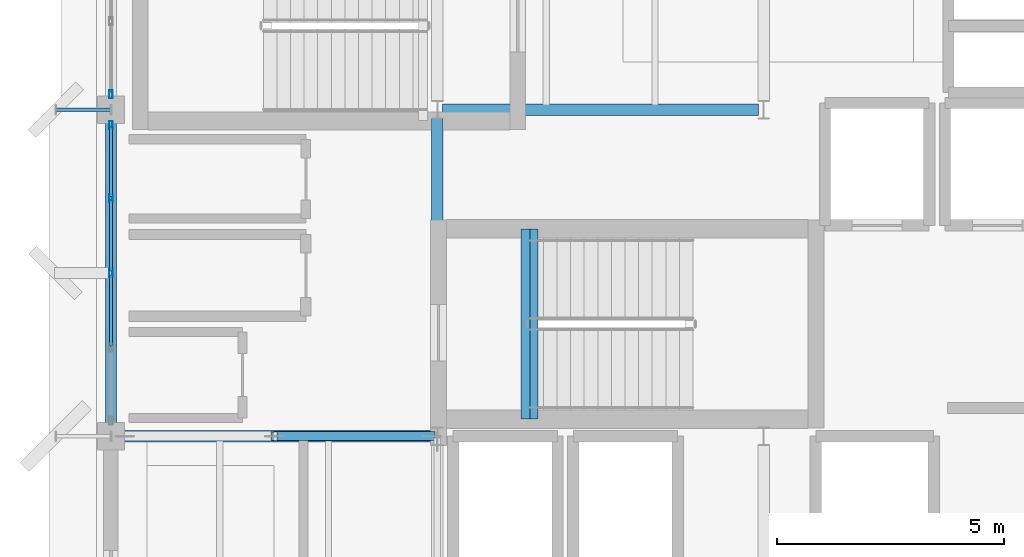
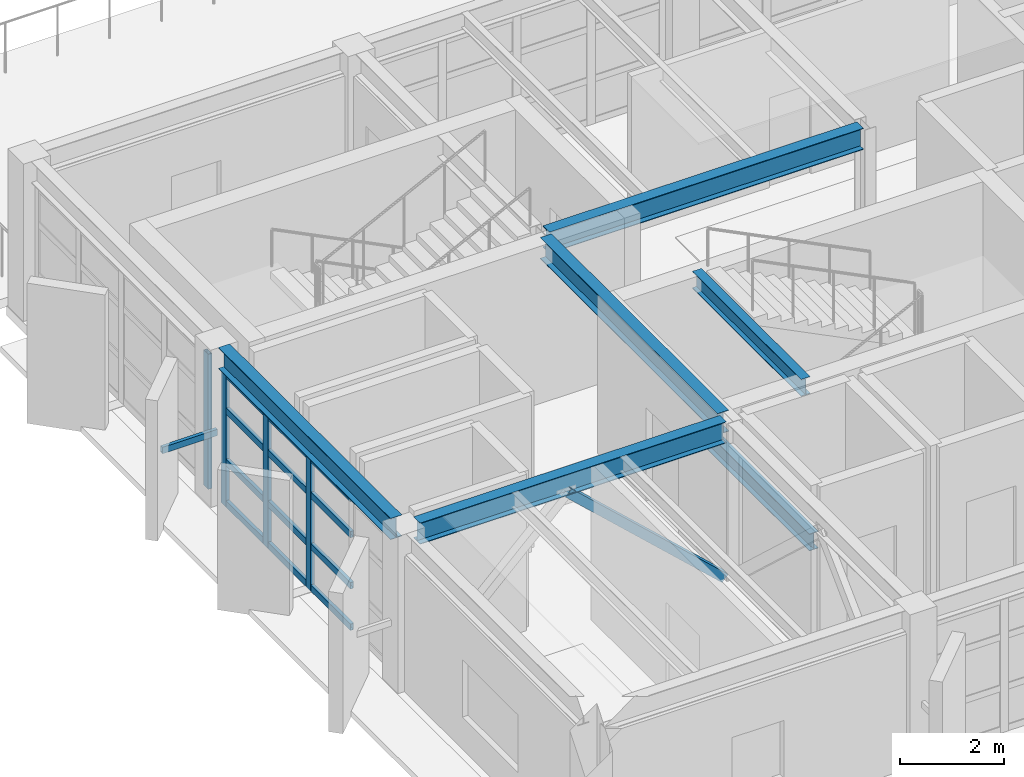
# One storey, part 4 of 16: 18 members, 6 beams, 2 elements without a shape of their own.
"""IFC4 building model written with IfcOpenShell, lengths in metres."""

from ifc_helpers import new_model, si_unit, direction, frame, origin, origin_2d, place, context, subcontext, project, spatial, hollow_rectangle, i_section, extrude, material, layer, layer_set, material_profile, profile_set, type_object, element, aggregate, save


model = new_model("IFC4")

# Units and contexts
model_context = context("Model", 3, precision=1e-05, world=origin(), true_north=direction((0.0, 1.0)))
body_context = subcontext(model_context, "Body", "Model", "MODEL_VIEW")
ifc_project = project(units=[si_unit("LENGTHUNIT", "METRE"), si_unit("AREAUNIT", "SQUARE_METRE"), si_unit("VOLUMEUNIT", "CUBIC_METRE"), si_unit("PLANEANGLEUNIT", "RADIAN"), si_unit("MASSUNIT", "GRAM", prefix="KILO")], contexts=[model_context])

# Site, building, storey
site_placement = place(None, origin())
site = spatial("IfcSite", under=ifc_project, at=site_placement, CompositionType="ELEMENT")
building_placement = place(site_placement, origin())
building = spatial("IfcBuilding", under=site, at=building_placement, Name="Kandorven Conservatory and Botanical Research Centre", CompositionType="ELEMENT")
storey_placement = place(building_placement, frame((0.0, 0.0, 44.39990234375)))
storey = spatial("IfcBuildingStorey", under=building, at=storey_placement, Name="L11", CompositionType="ELEMENT", Elevation=44.39990234375)

# Beams
ifc_material_1 = material(Name="Steel S355 (IS 2062 E350)", Category="steel")
ifc_material_profile_1 = material_profile(ifc_material_1, i_section(OverallWidth=0.25, OverallDepth=0.5, WebThickness=0.010009765625, FlangeThickness=0.0146484375, at=origin_2d()))
ifc_profile_set_1 = profile_set([ifc_material_profile_1], Name="Steel S355 (IS 2062 E350)")
beam_type_1 = type_object("IfcBeamType", Name="Beam_FG-02", PredefinedType="USERDEFINED", material=ifc_profile_set_1)
beam_1_placement = place(storey_placement, frame((6.2900390625, 13.199951171875, 3.440185546875), z_axis=(1.0, 0.0, 0.0), x_axis=(0.0, 1.0, 0.0)))
element("IfcBeam", 1, at=beam_1_placement, inside=storey, type_object=beam_type_1, Name="Primary girder FG-02 TWR L11", ObjectType="GIRDER", PredefinedType="USERDEFINED", context=body_context, shape_type="SweptSolid", body=[
    extrude(i_section(OverallWidth=0.25, OverallDepth=0.5, WebThickness=0.010009765625, FlangeThickness=0.0146484375, at=origin_2d()), origin(), (0.0, 0.0, 1.0), 6.794921875),
])
beam_2_placement = place(storey_placement, frame((13.31494140625, 20.39990234375, 3.440185546875), z_axis=(1.0, 0.0, 0.0), x_axis=(0.0, 1.0, 0.0)))
element("IfcBeam", 2, at=beam_2_placement, inside=storey, type_object=beam_type_1, Name="Primary girder FG-02 TWR L11", ObjectType="GIRDER", PredefinedType="USERDEFINED", context=body_context, shape_type="SweptSolid", body=[
    extrude(i_section(OverallWidth=0.25, OverallDepth=0.5, WebThickness=0.010009765625, FlangeThickness=0.0146484375, at=origin_2d()), origin(), (0.0, 0.0, 1.0), 6.969970703125),
])
beam_3_placement = place(storey_placement, frame((6.0, 13.489990234375, 3.440185546875), z_axis=(0.0, 1.0, 0.0), x_axis=(-1.0, 0.0, 0.0)))
element("IfcBeam", 3, at=beam_3_placement, inside=storey, type_object=beam_type_1, Name="Primary girder FG-02 TWR L11", ObjectType="GIRDER", PredefinedType="USERDEFINED", context=body_context, shape_type="SweptSolid", body=[
    extrude(i_section(OverallWidth=0.25, OverallDepth=0.5, WebThickness=0.010009765625, FlangeThickness=0.0146484375, at=origin_2d()), origin(), (0.0, 0.0, 1.0), 6.6201171875),
])
beam_4_placement = place(storey_placement, frame((13.199951171875, 13.389892578125, 3.440185546875), z_axis=(0.0, 1.0, 0.0), x_axis=(-1.0, 0.0, 0.0)))
element("IfcBeam", 4, at=beam_4_placement, inside=storey, type_object=beam_type_1, Name="Primary girder FG-02 TWR L11", ObjectType="GIRDER", PredefinedType="USERDEFINED", context=body_context, shape_type="SweptSolid", body=[
    extrude(i_section(OverallWidth=0.25, OverallDepth=0.5, WebThickness=0.010009765625, FlangeThickness=0.0146484375, at=origin_2d()), origin(), (0.0, 0.0, 1.0), 6.820068359375),
])
ifc_material_2 = material(Name="Steel S355 (IS 2062 E350)", Category="steel")
ifc_material_profile_2 = material_profile(ifc_material_2, i_section(OverallWidth=0.199951171875, OverallDepth=0.39990234375, WebThickness=0.008544921875, FlangeThickness=0.012939453125, at=origin_2d()))
ifc_profile_set_2 = profile_set([ifc_material_profile_2], Name="Steel S355 (IS 2062 E350)")
beam_type_2 = type_object("IfcBeamType", Name="Beam_FG-03", PredefinedType="USERDEFINED", material=ifc_profile_set_2)
for number, where, z_axis, x_axis, name in (
    (5, (15.320068359375, 13.580078125, -0.199951171875), (0.0, 1.0, 0.0), (-1.0, 0.0, 0.0), "Stair well bottom trimmer girder FG-03 ST-T1 L11"),
    (6, (15.139892578125, 13.580078125, 3.489990234375), (0.0, 1.0, 0.0), (-1.0, 0.0, 0.0), "Stair well top header girder FG-03 ST-T1 L11"),
):
    element("IfcBeam", number, at=place(storey_placement, frame(where, z_axis=z_axis, x_axis=x_axis)), inside=storey, type_object=beam_type_2, Name=name, ObjectType="GIRDER", PredefinedType="USERDEFINED", context=body_context, shape_type="SweptSolid", body=[
        extrude(i_section(OverallWidth=0.199951171875, OverallDepth=0.39990234375, WebThickness=0.008544921875, FlangeThickness=0.012939453125, at=origin_2d()), origin(), (0.0, 0.0, 1.0), 4.18994140625),
    ])

# Curtain wall, members
ifc_material_3 = material(Name="Bronze anodised thermally broken aluminium", Category="aluminium")
ifc_layer = layer(ifc_material_3, 0.179931640625)
ifc_layer_set = layer_set([ifc_layer], Name="Bronze anodised thermally broken aluminium")
curtain_wall_type = type_object("IfcCurtainWallType", Name="CW_Unitised", PredefinedType="USERDEFINED", material=ifc_layer_set)
curtain_wall_1_placement = place(storey_placement, origin())
curtain_wall_1 = element("IfcCurtainWall", 7, at=curtain_wall_1_placement, inside=storey, type_object=curtain_wall_type, Name="Tower laboratory curtain wall CW-TWR-W-L11-2", ObjectType="UNITISED GLAZING", PredefinedType="USERDEFINED")
ifc_material_4 = material(Name="Bronze anodised thermally broken aluminium", Category="aluminium")
ifc_material_profile_3 = material_profile(ifc_material_4, hollow_rectangle(XDim=0.080078125, YDim=0.179931640625, WallThickness=0.006103515625, at=origin_2d()))
ifc_profile_set_3 = profile_set([ifc_material_profile_3], Name="Bronze anodised thermally broken aluminium")
member_type_1 = type_object("IfcMemberType", Name="CW_Mullion", PredefinedType="MULLION", material=ifc_profile_set_3)
member_1_placement = place(storey_placement, frame((6.0, 16.800048828125, 0.0), z_axis=(0.0, 0.0, 1.0), x_axis=(-1.0, 0.0, 0.0)))
member_1 = element("IfcMember", 8, at=member_1_placement, type_object=member_type_1, Name="CW-01 mullion 3", PredefinedType="MULLION", context=body_context, shape_type="SweptSolid", body=[
    extrude(hollow_rectangle(XDim=0.080078125, YDim=0.179931640625, WallThickness=0.006103515625, at=origin_2d()), origin(), (0.0, 0.0, 1.0), 3.170166015625),
])
member_2_placement = place(storey_placement, frame((6.0, 18.449951171875, 0.0), z_axis=(0.0, 0.0, 1.0), x_axis=(-1.0, 0.0, 0.0)))
member_2 = element("IfcMember", 9, at=member_2_placement, type_object=member_type_1, Name="CW-01 mullion 4", PredefinedType="MULLION", context=body_context, shape_type="SweptSolid", body=[
    extrude(hollow_rectangle(XDim=0.080078125, YDim=0.179931640625, WallThickness=0.006103515625, at=origin_2d()), origin(), (0.0, 0.0, 1.0), 3.170166015625),
])
member_3_placement = place(storey_placement, frame((6.0, 20.06005859375, 0.0), z_axis=(0.0, 0.0, 1.0), x_axis=(-1.0, 0.0, 0.0)))
member_3 = element("IfcMember", 10, at=member_3_placement, type_object=member_type_1, Name="CW-01 mullion 5", PredefinedType="MULLION", context=body_context, shape_type="SweptSolid", body=[
    extrude(hollow_rectangle(XDim=0.080078125, YDim=0.179931640625, WallThickness=0.006103515625, at=origin_2d()), origin(), (0.0, 0.0, 1.0), 3.170166015625),
])

# Curtain wall, member
curtain_wall_2_placement = place(storey_placement, origin())
curtain_wall_2 = element("IfcCurtainWall", 11, at=curtain_wall_2_placement, inside=storey, type_object=curtain_wall_type, Name="Tower laboratory curtain wall CW-TWR-W-L11-3", ObjectType="UNITISED GLAZING", PredefinedType="USERDEFINED")
member_4_placement = place(storey_placement, frame((6.0, 20.739990234375, 0.0), z_axis=(0.0, 0.0, 1.0), x_axis=(-1.0, 0.0, 0.0)))
member_4 = element("IfcMember", 12, at=member_4_placement, type_object=member_type_1, Name="CW-01 mullion 1", PredefinedType="MULLION", context=body_context, shape_type="SweptSolid", body=[
    extrude(hollow_rectangle(XDim=0.080078125, YDim=0.179931640625, WallThickness=0.006103515625, at=origin_2d()), origin(), (0.0, 0.0, 1.0), 3.170166015625),
])
aggregate(curtain_wall_2, [member_4])

# Member
ifc_material_5 = material(Name="Bronze anodised thermally broken aluminium", Category="aluminium")
ifc_material_profile_4 = material_profile(ifc_material_5, hollow_rectangle(XDim=0.074951171875, YDim=0.14990234375, WallThickness=0.006103515625, at=origin_2d()))
ifc_profile_set_4 = profile_set([ifc_material_profile_4], Name="Bronze anodised thermally broken aluminium")
member_type_2 = type_object("IfcMemberType", Name="CW_Transom", PredefinedType="USERDEFINED", material=ifc_profile_set_4)
member_5_placement = place(storey_placement, frame((6.0, 15.18994140625, 0.0751953125), z_axis=(0.0, 1.0, 0.0), x_axis=(-1.0, 0.0, 0.0)))
member_5 = element("IfcMember", 13, at=member_5_placement, type_object=member_type_2, Name="CW-01 transom 2.1", ObjectType="TRANSOM", PredefinedType="USERDEFINED", context=body_context, shape_type="SweptSolid", body=[
    extrude(hollow_rectangle(XDim=0.074951171875, YDim=0.14990234375, WallThickness=0.006103515625, at=origin_2d()), origin(), (0.0, 0.0, 1.0), 1.570068359375),
])

member_6_placement = place(storey_placement, frame((6.0, 15.18994140625, 1.050048828125), z_axis=(0.0, 1.0, 0.0), x_axis=(-1.0, 0.0, 0.0)))
member_6 = element("IfcMember", 14, at=member_6_placement, type_object=member_type_2, Name="CW-01 transom 2.2", ObjectType="TRANSOM", PredefinedType="USERDEFINED", context=body_context, shape_type="SweptSolid", body=[
    extrude(hollow_rectangle(XDim=0.074951171875, YDim=0.14990234375, WallThickness=0.006103515625, at=origin_2d()), origin(), (0.0, 0.0, 1.0), 1.570068359375),
])

member_7_placement = place(storey_placement, frame((6.0, 15.18994140625, 2.25), z_axis=(0.0, 1.0, 0.0), x_axis=(-1.0, 0.0, 0.0)))
member_7 = element("IfcMember", 15, at=member_7_placement, type_object=member_type_2, Name="CW-01 transom 2.3", ObjectType="TRANSOM", PredefinedType="USERDEFINED", context=body_context, shape_type="SweptSolid", body=[
    extrude(hollow_rectangle(XDim=0.074951171875, YDim=0.14990234375, WallThickness=0.006103515625, at=origin_2d()), origin(), (0.0, 0.0, 1.0), 1.570068359375),
])

member_8_placement = place(storey_placement, frame((6.0, 15.18994140625, 3.09521484375), z_axis=(0.0, 1.0, 0.0), x_axis=(-1.0, 0.0, 0.0)))
member_8 = element("IfcMember", 16, at=member_8_placement, type_object=member_type_2, Name="CW-01 transom 2.4", ObjectType="TRANSOM", PredefinedType="USERDEFINED", context=body_context, shape_type="SweptSolid", body=[
    extrude(hollow_rectangle(XDim=0.074951171875, YDim=0.14990234375, WallThickness=0.006103515625, at=origin_2d()), origin(), (0.0, 0.0, 1.0), 1.570068359375),
])

member_9_placement = place(storey_placement, frame((6.0, 16.840087890625, 0.0751953125), z_axis=(0.0, 1.0, 0.0), x_axis=(-1.0, 0.0, 0.0)))
member_9 = element("IfcMember", 17, at=member_9_placement, type_object=member_type_2, Name="CW-01 transom 3.1", ObjectType="TRANSOM", PredefinedType="USERDEFINED", context=body_context, shape_type="SweptSolid", body=[
    extrude(hollow_rectangle(XDim=0.074951171875, YDim=0.14990234375, WallThickness=0.006103515625, at=origin_2d()), origin(), (0.0, 0.0, 1.0), 1.56982421875),
])

member_10_placement = place(storey_placement, frame((6.0, 16.840087890625, 1.050048828125), z_axis=(0.0, 1.0, 0.0), x_axis=(-1.0, 0.0, 0.0)))
member_10 = element("IfcMember", 18, at=member_10_placement, type_object=member_type_2, Name="CW-01 transom 3.2", ObjectType="TRANSOM", PredefinedType="USERDEFINED", context=body_context, shape_type="SweptSolid", body=[
    extrude(hollow_rectangle(XDim=0.074951171875, YDim=0.14990234375, WallThickness=0.006103515625, at=origin_2d()), origin(), (0.0, 0.0, 1.0), 1.56982421875),
])

member_11_placement = place(storey_placement, frame((6.0, 16.840087890625, 2.25), z_axis=(0.0, 1.0, 0.0), x_axis=(-1.0, 0.0, 0.0)))
member_11 = element("IfcMember", 19, at=member_11_placement, type_object=member_type_2, Name="CW-01 transom 3.3", ObjectType="TRANSOM", PredefinedType="USERDEFINED", context=body_context, shape_type="SweptSolid", body=[
    extrude(hollow_rectangle(XDim=0.074951171875, YDim=0.14990234375, WallThickness=0.006103515625, at=origin_2d()), origin(), (0.0, 0.0, 1.0), 1.56982421875),
])

member_12_placement = place(storey_placement, frame((6.0, 16.840087890625, 3.09521484375), z_axis=(0.0, 1.0, 0.0), x_axis=(-1.0, 0.0, 0.0)))
member_12 = element("IfcMember", 20, at=member_12_placement, type_object=member_type_2, Name="CW-01 transom 3.4", ObjectType="TRANSOM", PredefinedType="USERDEFINED", context=body_context, shape_type="SweptSolid", body=[
    extrude(hollow_rectangle(XDim=0.074951171875, YDim=0.14990234375, WallThickness=0.006103515625, at=origin_2d()), origin(), (0.0, 0.0, 1.0), 1.56982421875),
])

member_13_placement = place(storey_placement, frame((6.0, 18.489990234375, 0.0751953125), z_axis=(0.0, 1.0, 0.0), x_axis=(-1.0, 0.0, 0.0)))
member_13 = element("IfcMember", 21, at=member_13_placement, type_object=member_type_2, Name="CW-01 transom 4.1", ObjectType="TRANSOM", PredefinedType="USERDEFINED", context=body_context, shape_type="SweptSolid", body=[
    extrude(hollow_rectangle(XDim=0.074951171875, YDim=0.14990234375, WallThickness=0.006103515625, at=origin_2d()), origin(), (0.0, 0.0, 1.0), 1.530029296875),
])

member_14_placement = place(storey_placement, frame((6.0, 18.489990234375, 1.050048828125), z_axis=(0.0, 1.0, 0.0), x_axis=(-1.0, 0.0, 0.0)))
member_14 = element("IfcMember", 22, at=member_14_placement, type_object=member_type_2, Name="CW-01 transom 4.2", ObjectType="TRANSOM", PredefinedType="USERDEFINED", context=body_context, shape_type="SweptSolid", body=[
    extrude(hollow_rectangle(XDim=0.074951171875, YDim=0.14990234375, WallThickness=0.006103515625, at=origin_2d()), origin(), (0.0, 0.0, 1.0), 1.530029296875),
])

member_15_placement = place(storey_placement, frame((6.0, 18.489990234375, 2.25), z_axis=(0.0, 1.0, 0.0), x_axis=(-1.0, 0.0, 0.0)))
member_15 = element("IfcMember", 23, at=member_15_placement, type_object=member_type_2, Name="CW-01 transom 4.3", ObjectType="TRANSOM", PredefinedType="USERDEFINED", context=body_context, shape_type="SweptSolid", body=[
    extrude(hollow_rectangle(XDim=0.074951171875, YDim=0.14990234375, WallThickness=0.006103515625, at=origin_2d()), origin(), (0.0, 0.0, 1.0), 1.530029296875),
])

member_16_placement = place(storey_placement, frame((6.0, 18.489990234375, 3.09521484375), z_axis=(0.0, 1.0, 0.0), x_axis=(-1.0, 0.0, 0.0)))
member_16 = element("IfcMember", 24, at=member_16_placement, type_object=member_type_2, Name="CW-01 transom 4.4", ObjectType="TRANSOM", PredefinedType="USERDEFINED", context=body_context, shape_type="SweptSolid", body=[
    extrude(hollow_rectangle(XDim=0.074951171875, YDim=0.14990234375, WallThickness=0.006103515625, at=origin_2d()), origin(), (0.0, 0.0, 1.0), 1.530029296875),
])

aggregate(curtain_wall_1, [member_1, member_2, member_3, member_5, member_6, member_7, member_8, member_9, member_10, member_11, member_12, member_13, member_14, member_15, member_16])

# Members
ifc_material_6 = material(Name="Steel S355 (IS 2062 E350)", Category="steel")
ifc_material_profile_5 = material_profile(ifc_material_6, hollow_rectangle(XDim=0.199951171875, YDim=0.199951171875, WallThickness=0.010009765625, at=origin_2d()))
ifc_profile_set_5 = profile_set([ifc_material_profile_5], Name="Steel S355 (IS 2062 E350)")
member_type_3 = type_object("IfcMemberType", Name="Mem_BR-03", PredefinedType="BRACE", material=ifc_profile_set_5)
member_17_placement = place(storey_placement, frame((13.074951171875, 13.199951171875, 0.0), z_axis=(-0.733470400452, 0.0, 0.679721392676), x_axis=(0.0, -1.0, 0.0)))
element("IfcMember", 25, at=member_17_placement, inside=storey, type_object=member_type_3, Name="Tower lateral chevron brace BR-03 L11 E", PredefinedType="BRACE", context=body_context, shape_type="SweptSolid", body=[
    extrude(hollow_rectangle(XDim=0.199951171875, YDim=0.199951171875, WallThickness=0.010009765625, at=origin_2d()), origin(), (0.0, 0.0, 1.0), 4.737548828125),
])
ifc_material_7 = material(Name="Steel S355 (IS 2062 E350)", Category="steel")
ifc_material_profile_6 = material_profile(ifc_material_7, hollow_rectangle(XDim=0.074951171875, YDim=0.14990234375, WallThickness=0.006103515625, at=origin_2d()))
ifc_profile_set_6 = profile_set([ifc_material_profile_6], Name="Steel S355 (IS 2062 E350)")
member_type_4 = type_object("IfcMemberType", Name="Mem_SF-01", PredefinedType="STRUT", material=ifc_profile_set_6)
member_18_placement = place(storey_placement, frame((6.0, 20.39990234375, 1.5), z_axis=(-1.0, 0.0, 0.0), x_axis=(0.0, -1.0, 0.0)))
element("IfcMember", 26, at=member_18_placement, inside=storey, type_object=member_type_4, Name="Solar fin steel outrigger strut SF-01 #91", PredefinedType="STRUT", context=body_context, shape_type="SweptSolid", body=[
    extrude(hollow_rectangle(XDim=0.074951171875, YDim=0.14990234375, WallThickness=0.006103515625, at=origin_2d()), origin(), (0.0, 0.0, 1.0), 1.219970703125),
])

save(model, "model.ifc")
